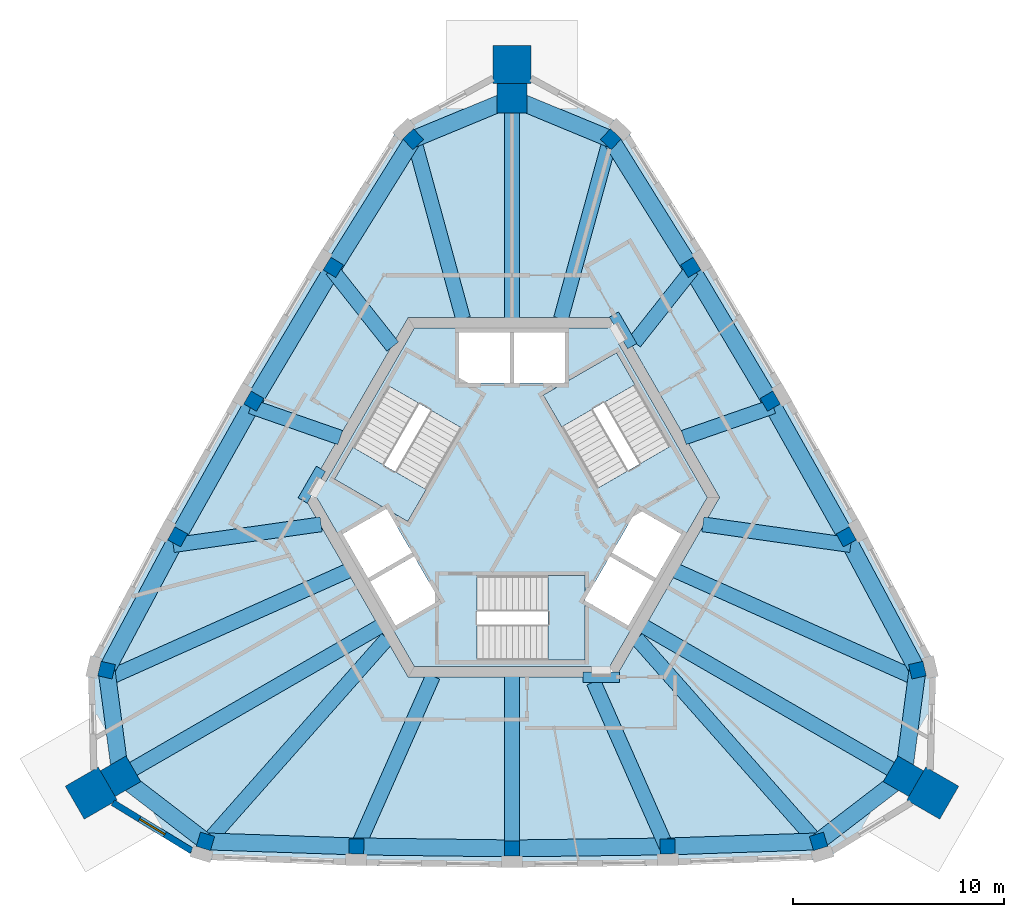
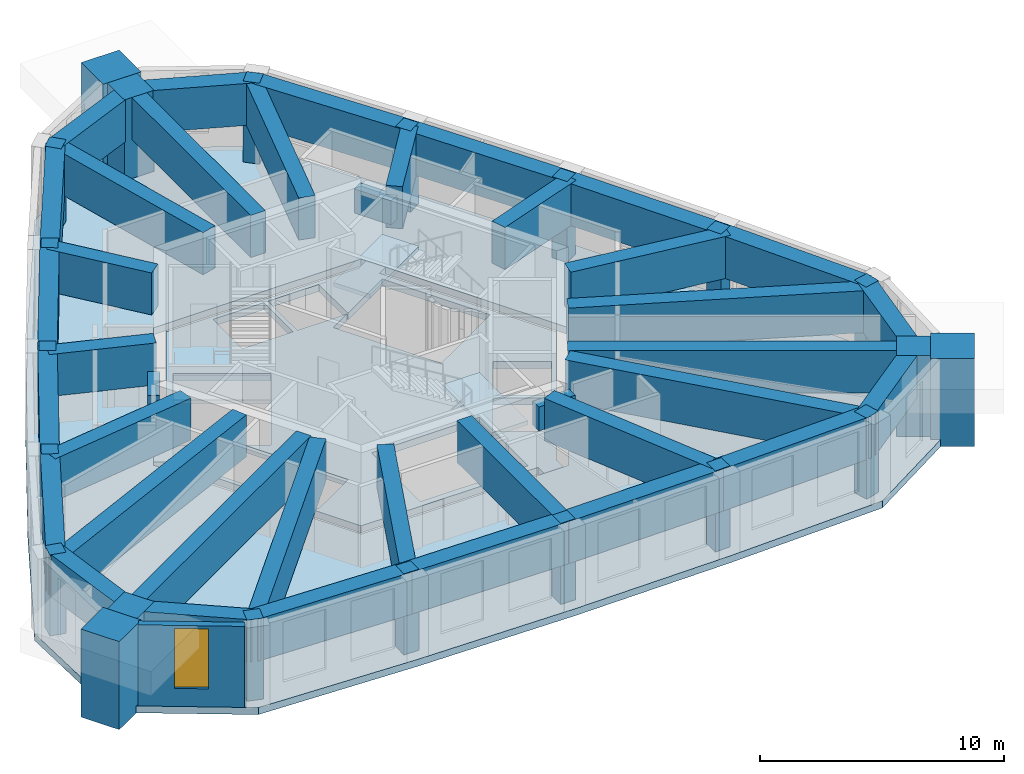
# One storey, part 1 of 8: 39 beams, 21 columns, 5 slabs, 1 wall, 1 window, 1 opening, 3 elements without a shape of their own.
"""IFC4 building model written with IfcOpenShell, lengths in metres."""

from ifc_helpers import new_model, si_unit, direction, frame, frame_2d, origin, origin_2d, place, context, subcontext, project, spatial, polyline, rectangle, outline, extrude, material, layer, layer_set, material_profile, profile_set, type_object, element, fill, aggregate, save


model = new_model("IFC4")

# Units and contexts
model_context = context("Model", 3, precision=1e-05, world=origin(), true_north=direction((0.0, 1.0)))
body_context = subcontext(model_context, "Body", "Model", "MODEL_VIEW")
ifc_project = project(units=[si_unit("LENGTHUNIT", "METRE"), si_unit("AREAUNIT", "SQUARE_METRE"), si_unit("VOLUMEUNIT", "CUBIC_METRE"), si_unit("PLANEANGLEUNIT", "RADIAN"), si_unit("MASSUNIT", "GRAM", prefix="KILO")], contexts=[model_context])

# Site, building, storey
site_placement = place(None, origin())
site = spatial("IfcSite", under=ifc_project, at=site_placement, CompositionType="ELEMENT")
building_placement = place(site_placement, origin())
building = spatial("IfcBuilding", under=site, at=building_placement, Name="Entoto Arch Interchange Tower", CompositionType="ELEMENT")
storey_placement = place(building_placement, frame((0.0, 0.0, 344.89990234375)))
storey = spatial("IfcBuildingStorey", under=building, at=storey_placement, Name="L81", CompositionType="ELEMENT", Elevation=344.89990234375)

# Columns
ifc_material_1 = material(Name="Concrete C40/50", Category="concrete")
ifc_material_profile_1 = material_profile(ifc_material_1, rectangle(XDim=0.699951171875, YDim=0.699951171875, at=origin_2d()))
ifc_profile_set_1 = profile_set([ifc_material_profile_1], Name="Concrete C40/50")
column_type_1 = type_object("IfcColumnType", Name="Column RC 700x700 C40/50", PredefinedType="COLUMN", material=ifc_profile_set_1)
for number, where, z_axis, x_axis, name in (
    (1, (-14.4970703125, -13.76806640625, -0.349853515625), (0.0, 0.0, 1.0), (-0.957344716669, 0.288948253958, 0.0), "Column S01 L81"),
    (2, (-7.35595703125, -14.008056640625, -0.349853515625), (0.0, 0.0, 1.0), (-0.999685941259, 0.02506030426, 0.0), "Column S02 L81"),
    (3, (0.0, -14.10009765625, -0.349853515625), (0.0, 0.0, 1.0), (1.0, 0.0, 0.0), "Column S03 L81"),
    (4, (7.35595703125, -14.008056640625, -0.349853515625), (0.0, 0.0, 1.0), (0.999685941259, 0.02506030426, 0.0), "Column S04 L81"),
    (5, (14.4970703125, -13.76806640625, -0.349853515625), (0.0, 0.0, 1.0), (0.957344716669, 0.288948253958, 0.0), "Column S05 L81"),
    (6, (19.173095703125, -5.6708984375, -0.349853515625), (0.0, 0.0, 1.0), (-0.228435830028, 0.973558971793, 0.0), "Column NE01 L81"),
    (7, (15.81103515625, 0.632080078125, -0.349853515625), (0.0, 0.0, 1.0), (-0.478140110514, 0.878283573066, 0.0), "Column NE02 L81"),
    (8, (12.2109375, 7.050048828125, -0.349853515625), (0.0, 0.0, 1.0), (-0.5, 0.866025403784, 0.0), "Column NE03 L81"),
    (9, (8.451904296875, 13.376953125, -0.349853515625), (0.0, 0.0, 1.0), (-0.521545830745, 0.853223268806, 0.0), "Column NE04 L81"),
    (10, (4.675048828125, 19.43896484375, -0.349853515625), (0.0, 0.0, 1.0), (-0.728908886641, 0.684610717836, 0.0), "Column NE05 L81"),
    (11, (-4.675048828125, 19.43896484375, -0.349853515625), (0.0, 0.0, 1.0), (0.728908886641, 0.684610717836, 0.0), "Column NW01 L81"),
    (12, (-8.451904296875, 13.376953125, -0.349853515625), (0.0, 0.0, 1.0), (0.521545830745, 0.853223268806, 0.0), "Column NW02 L81"),
    (13, (-12.2109375, 7.050048828125, -0.349853515625), (0.0, 0.0, 1.0), (0.5, 0.866025403784, 0.0), "Column NW03 L81"),
    (14, (-15.81103515625, 0.632080078125, -0.349853515625), (0.0, 0.0, 1.0), (0.478140110514, 0.878283573066, 0.0), "Column NW04 L81"),
    (15, (-19.173095703125, -5.6708984375, -0.349853515625), (0.0, 0.0, 1.0), (0.228435830028, 0.973558971793, 0.0), "Column NW05 L81"),
):
    element("IfcColumn", number, at=place(storey_placement, frame(where, z_axis=z_axis, x_axis=x_axis)), inside=storey, type_object=column_type_1, Name=name, PredefinedType="COLUMN", context=body_context, shape_type="SweptSolid", body=[
        extrude(rectangle(XDim=0.699951171875, YDim=0.699951171875, at=origin_2d()), origin(), (0.0, 0.0, 1.0), 4.39990234375),
    ])
ifc_material_2 = material(Name="Precast concrete C40/50", Category="concrete")
ifc_material_profile_2 = material_profile(ifc_material_2, rectangle(XDim=1.800048828125, YDim=1.800048828125, at=origin_2d()))
ifc_profile_set_2 = profile_set([ifc_material_profile_2], Name="Precast concrete C40/50")
column_type_2 = type_object("IfcColumnType", Name="Frame post RC 1800x1800 precast C40/50", PredefinedType="COLUMN", material=ifc_profile_set_2)
for number, where, z_axis, x_axis, name in (
    (16, (19.89794921875, -11.488037109375, -0.349853515625), (0.0, 0.0, 1.0), (-0.866025403784, 0.5, 0.0), "Frame post SE L81"),
    (17, (0.0, 22.97607421875, -0.349853515625), (0.0, 0.0, 1.0), (0.0, 1.0, 0.0), "Frame post N L81"),
    (18, (-19.89794921875, -11.488037109375, -0.349853515625), (0.0, 0.0, 1.0), (0.866025403784, 0.5, 0.0), "Frame post SW L81"),
):
    element("IfcColumn", number, at=place(storey_placement, frame(where, z_axis=z_axis, x_axis=x_axis)), inside=storey, type_object=column_type_2, Name=name, PredefinedType="COLUMN", context=body_context, shape_type="SweptSolid", body=[
        extrude(rectangle(XDim=1.800048828125, YDim=1.800048828125, at=origin_2d()), origin(), (0.0, 0.0, 1.0), 4.39990234375),
    ])
ifc_material_profile_3 = material_profile(ifc_material_1, rectangle(XDim=1.39990234375, YDim=1.39990234375, at=origin_2d()))
ifc_profile_set_3 = profile_set([ifc_material_profile_3], Name="Concrete C40/50")
column_type_3 = type_object("IfcColumnType", Name="Mega column RC 1400x1400 C40/50", PredefinedType="COLUMN", material=ifc_profile_set_3)
for number, where, z_axis, x_axis, name in (
    (19, (18.511962890625, -10.68798828125, -0.349853515625), (0.0, 0.0, 1.0), (-0.866025403784, 0.5, 0.0), "Corner mega column SE1 L81"),
    (20, (0.0, 21.3759765625, -0.349853515625), (0.0, 0.0, 1.0), (0.0, 1.0, 0.0), "Corner mega column N1 L81"),
    (21, (-18.511962890625, -10.68798828125, -0.349853515625), (0.0, 0.0, 1.0), (0.866025403784, 0.5, 0.0), "Corner mega column SW1 L81"),
):
    element("IfcColumn", number, at=place(storey_placement, frame(where, z_axis=z_axis, x_axis=x_axis)), inside=storey, type_object=column_type_3, Name=name, PredefinedType="COLUMN", context=body_context, shape_type="SweptSolid", body=[
        extrude(rectangle(XDim=1.39990234375, YDim=1.39990234375, at=origin_2d()), origin(), (0.0, 0.0, 1.0), 4.39990234375),
    ])

# Beams
ifc_material_profile_4 = material_profile(ifc_material_1, rectangle(XDim=0.5, YDim=1.199951171875, at=origin_2d()))
ifc_profile_set_4 = profile_set([ifc_material_profile_4], Name="Concrete C40/50")
beam_type_1 = type_object("IfcBeamType", Name="Coupling beam RC 500x1200 C40/50", PredefinedType="BEAM", material=ifc_profile_set_4)
for number, where, z_axis, x_axis, name in (
    (22, (5.68603515625, 9.65087890625, 3.0), (-0.500105721196, 0.865964357019, 0.0), (-0.865964357019, -0.500105721196, 0.0), "Coupling beam NE L81"),
    (23, (-9.035888671875, 3.84912109375, 3.0), (-0.500105721196, -0.865964357019, 0.0), (0.865964357019, -0.500105721196, 0.0), "Coupling beam NW L81"),
):
    element("IfcBeam", number, at=place(storey_placement, frame(where, z_axis=z_axis, x_axis=x_axis)), inside=storey, type_object=beam_type_1, Name=name, PredefinedType="BEAM", context=body_context, shape_type="SweptSolid", body=[
        extrude(rectangle(XDim=0.5, YDim=1.199951171875, at=origin_2d()), origin(), (0.0, 0.0, 1.0), 1.727783203125),
    ])
beam_1_placement = place(storey_placement, frame((3.35009765625, -6.0, 3.0), z_axis=(1.0, 0.0, 0.0), x_axis=(0.0, 1.0, 0.0)))
element("IfcBeam", 24, at=beam_1_placement, inside=storey, type_object=beam_type_1, Name="Coupling beam S L81", PredefinedType="BEAM", context=body_context, shape_type="SweptSolid", body=[
    extrude(rectangle(XDim=0.5, YDim=1.199951171875, at=origin_2d()), origin(), (0.0, 0.0, 1.0), 1.725830078125),
])
ifc_material_profile_5 = material_profile(ifc_material_1, rectangle(XDim=0.800048828125, YDim=2.10009765625, at=origin_2d()))
ifc_profile_set_5 = profile_set([ifc_material_profile_5], Name="Concrete C40/50")
beam_type_2 = type_object("IfcBeamType", Name="Crown ring girder RC 800x2100 C40/50", PredefinedType="BEAM", material=ifc_profile_set_5)
beam_2_placement = place(storey_placement, frame((-14.4970703125, -13.76806640625, 3.0), z_axis=(0.999435768129, -0.033587875558, 0.0), x_axis=(0.033587875558, 0.999435768129, 0.0)))
element("IfcBeam", 25, at=beam_2_placement, inside=storey, type_object=beam_type_2, Name="Crown ring girder 01 L81", PredefinedType="BEAM", context=body_context, shape_type="SweptSolid", body=[
    extrude(rectangle(XDim=0.800048828125, YDim=2.10009765625, at=origin_2d()), origin(), (0.0, 0.0, 1.0), 7.145263671875),
])
for number, where, z_axis, x_axis, name in (
    (26, (-7.35595703125, -14.008056640625, 3.0), (0.999921728537, -0.0125114667, 0.0), (0.0125114667, 0.999921728537, 0.0), "Crown ring girder 02 L81"),
    (27, (0.0, -14.10009765625, 3.0), (0.999921728537, 0.0125114667, 0.0), (-0.0125114667, 0.999921728537, 0.0), "Crown ring girder 03 L81"),
):
    element("IfcBeam", number, at=place(storey_placement, frame(where, z_axis=z_axis, x_axis=x_axis)), inside=storey, type_object=beam_type_2, Name=name, PredefinedType="BEAM", context=body_context, shape_type="SweptSolid", body=[
        extrude(rectangle(XDim=0.800048828125, YDim=2.10009765625, at=origin_2d()), origin(), (0.0, 0.0, 1.0), 7.3564453125),
    ])
beam_3_placement = place(storey_placement, frame((7.35595703125, -14.008056640625, 3.0), z_axis=(0.999435768129, 0.033587875558, 0.0), x_axis=(-0.033587875558, 0.999435768129, 0.0)))
element("IfcBeam", 28, at=beam_3_placement, inside=storey, type_object=beam_type_2, Name="Crown ring girder 04 L81", PredefinedType="BEAM", context=body_context, shape_type="SweptSolid", body=[
    extrude(rectangle(XDim=0.800048828125, YDim=2.10009765625, at=origin_2d()), origin(), (0.0, 0.0, 1.0), 7.145263671875),
])
beam_4_placement = place(storey_placement, frame((14.4970703125, -13.76806640625, 3.0), z_axis=(0.79341607068, 0.608679668452, 0.0), x_axis=(-0.608679668452, 0.79341607068, 0.0)))
element("IfcBeam", 29, at=beam_4_placement, inside=storey, type_object=beam_type_2, Name="Crown ring girder 05 L81", PredefinedType="BEAM", context=body_context, shape_type="SweptSolid", body=[
    extrude(rectangle(XDim=0.800048828125, YDim=2.10009765625, at=origin_2d()), origin(), (0.0, 0.0, 1.0), 5.060302734375),
])
beam_5_placement = place(storey_placement, frame((18.511962890625, -10.68798828125, 3.0), z_axis=(0.130646700794, 0.991428988668, 0.0), x_axis=(-0.991428988668, 0.130646700794, 0.0)))
element("IfcBeam", 30, at=beam_5_placement, inside=storey, type_object=beam_type_2, Name="Crown ring girder 06 L81", PredefinedType="BEAM", context=body_context, shape_type="SweptSolid", body=[
    extrude(rectangle(XDim=0.800048828125, YDim=2.10009765625, at=origin_2d()), origin(), (0.0, 0.0, 1.0), 5.060546875),
])
beam_6_placement = place(storey_placement, frame((19.173095703125, -5.6708984375, 3.0), z_axis=(-0.470639676095, 0.882325504157, 0.0), x_axis=(-0.882325504157, -0.470639676095, 0.0)))
element("IfcBeam", 31, at=beam_6_placement, inside=storey, type_object=beam_type_2, Name="Crown ring girder 07 L81", PredefinedType="BEAM", context=body_context, shape_type="SweptSolid", body=[
    extrude(rectangle(XDim=0.800048828125, YDim=2.10009765625, at=origin_2d()), origin(), (0.0, 0.0, 1.0), 7.1435546875),
])
beam_7_placement = place(storey_placement, frame((15.81103515625, 0.632080078125, 3.0), z_axis=(-0.489227585095, 0.872156161466, 0.0), x_axis=(-0.872156161466, -0.489227585095, 0.0)))
element("IfcBeam", 32, at=beam_7_placement, inside=storey, type_object=beam_type_2, Name="Crown ring girder 08 L81", PredefinedType="BEAM", context=body_context, shape_type="SweptSolid", body=[
    extrude(rectangle(XDim=0.800048828125, YDim=2.10009765625, at=origin_2d()), origin(), (0.0, 0.0, 1.0), 7.358642578125),
])
beam_8_placement = place(storey_placement, frame((12.2109375, 7.050048828125, 3.0), z_axis=(-0.510783240582, 0.859709533005, 0.0), x_axis=(-0.859709533005, -0.510783240582, 0.0)))
element("IfcBeam", 33, at=beam_8_placement, inside=storey, type_object=beam_type_2, Name="Crown ring girder 09 L81", PredefinedType="BEAM", context=body_context, shape_type="SweptSolid", body=[
    extrude(rectangle(XDim=0.800048828125, YDim=2.10009765625, at=origin_2d()), origin(), (0.0, 0.0, 1.0), 7.359375),
])
beam_9_placement = place(storey_placement, frame((8.451904296875, 13.376953125, 3.0), z_axis=(-0.52880011015, 0.848746395283, 0.0), x_axis=(-0.848746395283, -0.52880011015, 0.0)))
element("IfcBeam", 34, at=beam_9_placement, inside=storey, type_object=beam_type_2, Name="Crown ring girder 10 L81", PredefinedType="BEAM", context=body_context, shape_type="SweptSolid", body=[
    extrude(rectangle(XDim=0.800048828125, YDim=2.10009765625, at=origin_2d()), origin(), (0.0, 0.0, 1.0), 7.142333984375),
])
for number, where, z_axis, x_axis, name in (
    (35, (4.675048828125, 19.43896484375, 3.0), (-0.923841584445, 0.382775034257, 0.0), (-0.382775034257, -0.923841584445, 0.0), "Crown ring girder 11 L81"),
    (36, (0.0, 21.3759765625, 3.0), (-0.923841584445, -0.382775034257, 0.0), (0.382775034257, -0.923841584445, 0.0), "Crown ring girder 12 L81"),
):
    element("IfcBeam", number, at=place(storey_placement, frame(where, z_axis=z_axis, x_axis=x_axis)), inside=storey, type_object=beam_type_2, Name=name, PredefinedType="BEAM", context=body_context, shape_type="SweptSolid", body=[
        extrude(rectangle(XDim=0.800048828125, YDim=2.10009765625, at=origin_2d()), origin(), (0.0, 0.0, 1.0), 5.060546875),
    ])
beam_10_placement = place(storey_placement, frame((-4.675048828125, 19.43896484375, 3.0), z_axis=(-0.52880011015, -0.848746395283, 0.0), x_axis=(0.848746395283, -0.52880011015, 0.0)))
element("IfcBeam", 37, at=beam_10_placement, inside=storey, type_object=beam_type_2, Name="Crown ring girder 13 L81", PredefinedType="BEAM", context=body_context, shape_type="SweptSolid", body=[
    extrude(rectangle(XDim=0.800048828125, YDim=2.10009765625, at=origin_2d()), origin(), (0.0, 0.0, 1.0), 7.142333984375),
])
beam_11_placement = place(storey_placement, frame((-8.451904296875, 13.376953125, 3.0), z_axis=(-0.510783240582, -0.859709533005, 0.0), x_axis=(0.859709533005, -0.510783240582, 0.0)))
element("IfcBeam", 38, at=beam_11_placement, inside=storey, type_object=beam_type_2, Name="Crown ring girder 14 L81", PredefinedType="BEAM", context=body_context, shape_type="SweptSolid", body=[
    extrude(rectangle(XDim=0.800048828125, YDim=2.10009765625, at=origin_2d()), origin(), (0.0, 0.0, 1.0), 7.359375),
])
beam_12_placement = place(storey_placement, frame((-12.2109375, 7.050048828125, 3.0), z_axis=(-0.489227585095, -0.872156161466, 0.0), x_axis=(0.872156161466, -0.489227585095, 0.0)))
element("IfcBeam", 39, at=beam_12_placement, inside=storey, type_object=beam_type_2, Name="Crown ring girder 15 L81", PredefinedType="BEAM", context=body_context, shape_type="SweptSolid", body=[
    extrude(rectangle(XDim=0.800048828125, YDim=2.10009765625, at=origin_2d()), origin(), (0.0, 0.0, 1.0), 7.358642578125),
])
beam_13_placement = place(storey_placement, frame((-15.81103515625, 0.632080078125, 3.0), z_axis=(-0.470639676095, -0.882325504157, 0.0), x_axis=(0.882325504157, -0.470639676095, 0.0)))
element("IfcBeam", 40, at=beam_13_placement, inside=storey, type_object=beam_type_2, Name="Crown ring girder 16 L81", PredefinedType="BEAM", context=body_context, shape_type="SweptSolid", body=[
    extrude(rectangle(XDim=0.800048828125, YDim=2.10009765625, at=origin_2d()), origin(), (0.0, 0.0, 1.0), 7.1435546875),
])
beam_14_placement = place(storey_placement, frame((-19.173095703125, -5.6708984375, 3.0), z_axis=(0.130646700794, -0.991428988668, 0.0), x_axis=(0.991428988668, 0.130646700794, 0.0)))
element("IfcBeam", 41, at=beam_14_placement, inside=storey, type_object=beam_type_2, Name="Crown ring girder 17 L81", PredefinedType="BEAM", context=body_context, shape_type="SweptSolid", body=[
    extrude(rectangle(XDim=0.800048828125, YDim=2.10009765625, at=origin_2d()), origin(), (0.0, 0.0, 1.0), 5.060546875),
])
beam_15_placement = place(storey_placement, frame((-18.511962890625, -10.68798828125, 3.0), z_axis=(0.79341607068, -0.608679668452, 0.0), x_axis=(0.608679668452, 0.79341607068, 0.0)))
element("IfcBeam", 42, at=beam_15_placement, inside=storey, type_object=beam_type_2, Name="Crown ring girder 18 L81", PredefinedType="BEAM", context=body_context, shape_type="SweptSolid", body=[
    extrude(rectangle(XDim=0.800048828125, YDim=2.10009765625, at=origin_2d()), origin(), (0.0, 0.0, 1.0), 5.060302734375),
])
ifc_material_profile_6 = material_profile(ifc_material_1, rectangle(XDim=0.699951171875, YDim=2.10009765625, at=origin_2d()))
ifc_profile_set_6 = profile_set([ifc_material_profile_6], Name="Concrete C40/50")
beam_type_3 = type_object("IfcBeamType", Name="Crown transfer beam RC 700x2100 C40/50", PredefinedType="BEAM", material=ifc_profile_set_6)
beam_16_placement = place(storey_placement, frame((-5.905029296875, -4.176025390625, 3.0), z_axis=(-0.662501096248, -0.749060943763, 0.0), x_axis=(0.749060943763, -0.662501096248, 0.0)))
element("IfcBeam", 43, at=beam_16_placement, inside=storey, type_object=beam_type_3, Name="Transfer beam S01 L81", PredefinedType="BEAM", context=body_context, shape_type="SweptSolid", body=[
    extrude(rectangle(XDim=0.699951171875, YDim=2.10009765625, at=origin_2d()), origin(), (0.0, 0.0, 1.0), 12.810546875),
])
beam_17_placement = place(storey_placement, frame((-3.738037109375, -5.9541015625, 3.0), z_axis=(-0.404249610701, -0.914648704284, 0.0), x_axis=(0.914648704284, -0.404249610701, 0.0)))
element("IfcBeam", 44, at=beam_17_placement, inside=storey, type_object=beam_type_3, Name="Transfer beam S02 L81", PredefinedType="BEAM", context=body_context, shape_type="SweptSolid", body=[
    extrude(rectangle(XDim=0.699951171875, YDim=2.10009765625, at=origin_2d()), origin(), (0.0, 0.0, 1.0), 8.806640625),
])
beam_18_placement = place(storey_placement, frame((0.0, -5.949951171875, 3.0), z_axis=(0.0, -1.0, 0.0), x_axis=(1.0, 0.0, 0.0)))
element("IfcBeam", 45, at=beam_18_placement, inside=storey, type_object=beam_type_3, Name="Transfer beam S03 L81", PredefinedType="BEAM", context=body_context, shape_type="SweptSolid", body=[
    extrude(rectangle(XDim=0.699951171875, YDim=2.10009765625, at=origin_2d()), origin(), (0.0, 0.0, 1.0), 8.150146484375),
])
beam_19_placement = place(storey_placement, frame((3.85888671875, -6.22900390625, 3.0), z_axis=(0.404313504623, -0.914620462257, 0.0), x_axis=(0.914620462257, 0.404313504623, 0.0)))
element("IfcBeam", 46, at=beam_19_placement, inside=storey, type_object=beam_type_3, Name="Transfer beam S04 L81", PredefinedType="BEAM", context=body_context, shape_type="SweptSolid", body=[
    extrude(rectangle(XDim=0.699951171875, YDim=2.10009765625, at=origin_2d()), origin(), (0.0, 0.0, 1.0), 8.50634765625),
])
beam_20_placement = place(storey_placement, frame((5.905029296875, -4.176025390625, 3.0), z_axis=(0.662501096248, -0.749060943763, 0.0), x_axis=(0.749060943763, 0.662501096248, 0.0)))
element("IfcBeam", 47, at=beam_20_placement, inside=storey, type_object=beam_type_3, Name="Transfer beam S05 L81", PredefinedType="BEAM", context=body_context, shape_type="SweptSolid", body=[
    extrude(rectangle(XDim=0.699951171875, YDim=2.10009765625, at=origin_2d()), origin(), (0.0, 0.0, 1.0), 12.810546875),
])
beam_21_placement = place(storey_placement, frame((6.235107421875, -3.60009765625, 3.0), z_axis=(0.866034150445, -0.499984850033, 0.0), x_axis=(0.499984850033, 0.866034150445, 0.0)))
element("IfcBeam", 48, at=beam_21_placement, inside=storey, type_object=beam_type_3, Name="Transfer beam SE1 L81", PredefinedType="BEAM", context=body_context, shape_type="SweptSolid", body=[
    extrude(rectangle(XDim=0.699951171875, YDim=2.10009765625, at=origin_2d()), origin(), (0.0, 0.0, 1.0), 13.826171875),
])
beam_22_placement = place(storey_placement, frame((7.7529296875, -0.970947265625, 3.0), z_axis=(0.912730941664, -0.408561168162, 0.0), x_axis=(0.408561168162, 0.912730941664, 0.0)))
element("IfcBeam", 49, at=beam_22_placement, inside=storey, type_object=beam_type_3, Name="Transfer beam NE01 L81", PredefinedType="BEAM", context=body_context, shape_type="SweptSolid", body=[
    extrude(rectangle(XDim=0.699951171875, YDim=2.10009765625, at=origin_2d()), origin(), (0.0, 0.0, 1.0), 12.456298828125),
])
beam_23_placement = place(storey_placement, frame((9.027099609375, 1.22705078125, 3.0), z_axis=(0.990200999315, -0.139649493217, 0.0), x_axis=(0.139649493217, 0.990200999315, 0.0)))
element("IfcBeam", 50, at=beam_23_placement, inside=storey, type_object=beam_type_3, Name="Transfer beam NE02 L81", PredefinedType="BEAM", context=body_context, shape_type="SweptSolid", body=[
    extrude(rectangle(XDim=0.699951171875, YDim=2.10009765625, at=origin_2d()), origin(), (0.0, 0.0, 1.0), 7.06103515625),
])
beam_24_placement = place(storey_placement, frame((8.125, 5.3291015625, 3.0), z_axis=(0.94435908259, 0.3289162859, 0.0), x_axis=(-0.3289162859, 0.94435908259, 0.0)))
element("IfcBeam", 51, at=beam_24_placement, inside=storey, type_object=beam_type_3, Name="Transfer beam NE03 L81", PredefinedType="BEAM", context=body_context, shape_type="SweptSolid", body=[
    extrude(rectangle(XDim=0.699951171875, YDim=2.10009765625, at=origin_2d()), origin(), (0.0, 0.0, 1.0), 4.47509765625),
])
beam_25_placement = place(storey_placement, frame((5.7958984375, 9.8310546875, 3.0), z_axis=(0.620209286578, 0.784436384191, 0.0), x_axis=(-0.784436384191, 0.620209286578, 0.0)))
element("IfcBeam", 52, at=beam_25_placement, inside=storey, type_object=beam_type_3, Name="Transfer beam NE04 L81", PredefinedType="BEAM", context=body_context, shape_type="SweptSolid", body=[
    extrude(rectangle(XDim=0.699951171875, YDim=2.10009765625, at=origin_2d()), origin(), (0.0, 0.0, 1.0), 4.384033203125),
])
beam_26_placement = place(storey_placement, frame((2.31494140625, 10.951904296875, 3.0), z_axis=(0.264167373193, 0.964476852465, 0.0), x_axis=(-0.964476852465, 0.264167373193, 0.0)))
element("IfcBeam", 53, at=beam_26_placement, inside=storey, type_object=beam_type_3, Name="Transfer beam NE05 L81", PredefinedType="BEAM", context=body_context, shape_type="SweptSolid", body=[
    extrude(rectangle(XDim=0.699951171875, YDim=2.10009765625, at=origin_2d()), origin(), (0.0, 0.0, 1.0), 8.81298828125),
])
beam_27_placement = place(storey_placement, frame((0.0, 10.949951171875, 3.0), z_axis=(0.0, 1.0, 0.0), x_axis=(-1.0, 0.0, 0.0)))
element("IfcBeam", 54, at=beam_27_placement, inside=storey, type_object=beam_type_3, Name="Transfer beam N1 L81", PredefinedType="BEAM", context=body_context, shape_type="SweptSolid", body=[
    extrude(rectangle(XDim=0.699951171875, YDim=2.10009765625, at=origin_2d()), origin(), (0.0, 0.0, 1.0), 10.075927734375),
])
beam_28_placement = place(storey_placement, frame((-2.31494140625, 10.951904296875, 3.0), z_axis=(-0.264167373193, 0.964476852465, 0.0), x_axis=(-0.964476852465, -0.264167373193, 0.0)))
element("IfcBeam", 55, at=beam_28_placement, inside=storey, type_object=beam_type_3, Name="Transfer beam NW01 L81", PredefinedType="BEAM", context=body_context, shape_type="SweptSolid", body=[
    extrude(rectangle(XDim=0.699951171875, YDim=2.10009765625, at=origin_2d()), origin(), (0.0, 0.0, 1.0), 8.81298828125),
])
beam_29_placement = place(storey_placement, frame((-5.64111328125, 9.635009765625, 3.0), z_axis=(-0.620180545903, 0.784459106954, 0.0), x_axis=(-0.784459106954, -0.620180545903, 0.0)))
element("IfcBeam", 56, at=beam_29_placement, inside=storey, type_object=beam_type_3, Name="Transfer beam NW02 L81", PredefinedType="BEAM", context=body_context, shape_type="SweptSolid", body=[
    extrude(rectangle(XDim=0.699951171875, YDim=2.10009765625, at=origin_2d()), origin(), (0.0, 0.0, 1.0), 4.6337890625),
])
beam_30_placement = place(storey_placement, frame((-8.125, 5.3291015625, 3.0), z_axis=(-0.94435908259, 0.3289162859, 0.0), x_axis=(-0.3289162859, -0.94435908259, 0.0)))
element("IfcBeam", 57, at=beam_30_placement, inside=storey, type_object=beam_type_3, Name="Transfer beam NW03 L81", PredefinedType="BEAM", context=body_context, shape_type="SweptSolid", body=[
    extrude(rectangle(XDim=0.699951171875, YDim=2.10009765625, at=origin_2d()), origin(), (0.0, 0.0, 1.0), 4.47509765625),
])
beam_31_placement = place(storey_placement, frame((-9.027099609375, 1.22705078125, 3.0), z_axis=(-0.990200999315, -0.139649493217, 0.0), x_axis=(0.139649493217, -0.990200999315, 0.0)))
element("IfcBeam", 58, at=beam_31_placement, inside=storey, type_object=beam_type_3, Name="Transfer beam NW04 L81", PredefinedType="BEAM", context=body_context, shape_type="SweptSolid", body=[
    extrude(rectangle(XDim=0.699951171875, YDim=2.10009765625, at=origin_2d()), origin(), (0.0, 0.0, 1.0), 7.06103515625),
])
beam_32_placement = place(storey_placement, frame((-7.7529296875, -0.970947265625, 3.0), z_axis=(-0.912730941664, -0.408561168162, 0.0), x_axis=(0.408561168162, -0.912730941664, 0.0)))
element("IfcBeam", 59, at=beam_32_placement, inside=storey, type_object=beam_type_3, Name="Transfer beam NW05 L81", PredefinedType="BEAM", context=body_context, shape_type="SweptSolid", body=[
    extrude(rectangle(XDim=0.699951171875, YDim=2.10009765625, at=origin_2d()), origin(), (0.0, 0.0, 1.0), 12.456298828125),
])
beam_33_placement = place(storey_placement, frame((-6.235107421875, -3.60009765625, 3.0), z_axis=(-0.866034150445, -0.499984850033, 0.0), x_axis=(0.499984850033, -0.866034150445, 0.0)))
element("IfcBeam", 60, at=beam_33_placement, inside=storey, type_object=beam_type_3, Name="Transfer beam SW1 L81", PredefinedType="BEAM", context=body_context, shape_type="SweptSolid", body=[
    extrude(rectangle(XDim=0.699951171875, YDim=2.10009765625, at=origin_2d()), origin(), (0.0, 0.0, 1.0), 13.826171875),
])

# Slab
ifc_layer_1 = layer(ifc_material_1, 0.35009765625)
ifc_layer_set_1 = layer_set([ifc_layer_1], Name="Concrete C40/50")
slab_type_1 = type_object("IfcSlabType", Name="Core floor slab 350 C40/50", PredefinedType="FLOOR", material=ifc_layer_set_1)
slab_1_placement = place(storey_placement, frame((0.0, 0.0, -0.349853515625)))
element("IfcSlab", 61, at=slab_1_placement, inside=storey, type_object=slab_type_1, Name="Core floor slab L81", PredefinedType="FLOOR", context=body_context, shape_type="SweptSolid", body=[
    extrude(outline(polyline([(-9.208984375, 2.449951171875), (-9.222900390625, 2.425048828125), (-9.699951171875, 2.699951171875), (-9.236083984375, 3.501953125), (-8.802978515625, 3.2529296875), (-4.618896484375, 10.5), (4.56103515625, 10.5), (4.5458984375, 10.52490234375), (5.02197265625, 10.800048828125), (5.486083984375, 9.998046875), (5.052978515625, 9.748046875), (9.238037109375, 2.5), (4.64794921875, -5.449951171875), (4.676025390625, -5.449951171875), (4.676025390625, -6.0), (3.75, -6.0), (3.75, -5.5), (-4.618896484375, -5.5), (-9.208984375, 2.449951171875)]), holes=[polyline([(-1.64990234375, -5.199951171875), (3.449951171875, -5.199951171875), (3.449951171875, -2.3779296875), (5.5048828125, -3.56494140625), (6.705078125, -1.487060546875), (4.626953125, -0.287109375), (3.449951171875, -2.324951171875), (3.449951171875, -1.199951171875), (-1.64990234375, -1.199951171875), (-1.64990234375, -5.199951171875)]), polyline([(-4.626953125, -0.287109375), (-6.705078125, -1.487060546875), (-5.5048828125, -3.56494140625), (-3.427001953125, -2.364990234375), (-4.626953125, -0.287109375)]), polyline([(-5.904052734375, 1.925048828125), (-4.928955078125, 1.362060546875), (-2.37890625, 5.779052734375), (-5.843017578125, 7.779052734375), (-8.39306640625, 3.362060546875), (-5.949951171875, 1.951904296875), (-8.0048828125, 0.764892578125), (-6.804931640625, -1.31298828125), (-4.72705078125, -0.113037109375), (-5.904052734375, 1.925048828125)]), polyline([(4.72705078125, -0.113037109375), (6.804931640625, -1.31298828125), (8.0048828125, 0.764892578125), (5.927001953125, 1.965087890625), (4.72705078125, -0.113037109375)]), polyline([(2.5, 7.927001953125), (2.5, 10.300048828125), (0.10009765625, 10.300048828125), (0.10009765625, 7.89990234375), (2.452880859375, 7.89990234375), (1.47900390625, 7.337890625), (4.029052734375, 2.9208984375), (7.492919921875, 4.9208984375), (4.943115234375, 9.337890625), (2.5, 7.927001953125)]), polyline([(-2.5, 7.89990234375), (-0.10009765625, 7.89990234375), (-0.10009765625, 10.300048828125), (-2.5, 10.300048828125), (-2.5, 7.89990234375)])]), origin(), (0.0, 0.0, 1.0), 0.349853515625),
])

# Stair, slab
stair_type = type_object("IfcStairType", Name="EXIT STAIR RC 1700", PredefinedType="HALF_TURN_STAIR", material=ifc_material_1)
stair_1_placement = place(storey_placement, origin())
stair_1 = element("IfcStair", 62, at=stair_1_placement, inside=storey, type_object=stair_type, Name="L81 Exit stair S", PredefinedType="HALF_TURN_STAIR")
ifc_layer_2 = layer(ifc_material_1, 0.199951171875)
ifc_layer_set_2 = layer_set([ifc_layer_2], Name="Concrete C40/50")
slab_type_2 = type_object("IfcSlabType", Name="EXIT STAIR LANDING RC 200", PredefinedType="LANDING", material=ifc_layer_set_2)
slab_2_placement = place(storey_placement, frame((0.0, 0.0, 2.050048828125)))
slab_2 = element("IfcSlab", 63, at=slab_2_placement, type_object=slab_type_2, Name="ST-S landing 1", PredefinedType="LANDING", context=body_context, shape_type="SweptSolid", body=[
    extrude(outline(polyline([(1.7099609375, -5.199951171875), (3.449951171875, -5.199951171875), (3.449951171875, -1.199951171875), (1.7099609375, -1.199951171875), (1.7099609375, -5.199951171875)])), origin(), (0.0, 0.0, 1.0), 0.199951171875),
])
aggregate(stair_1, [slab_2])

stair_2_placement = place(storey_placement, origin())
stair_2 = element("IfcStair", 64, at=stair_2_placement, inside=storey, type_object=stair_type, Name="L81 Exit stair NE", PredefinedType="HALF_TURN_STAIR")
slab_3_placement = place(storey_placement, frame((0.0, 0.0, 2.050048828125)))
slab_3 = element("IfcSlab", 65, at=slab_3_placement, type_object=slab_type_2, Name="ST-NE landing 1", PredefinedType="LANDING", context=body_context, shape_type="SweptSolid", body=[
    extrude(outline(polyline([(5.8134765625, 7.830810546875), (4.943359375, 9.337890625), (1.479248046875, 7.337890625), (2.349365234375, 5.830810546875), (5.8134765625, 7.830810546875)])), origin(), (0.0, 0.0, 1.0), 0.199951171875),
])
aggregate(stair_2, [slab_3])

stair_3_placement = place(storey_placement, origin())
stair_3 = element("IfcStair", 66, at=stair_3_placement, inside=storey, type_object=stair_type, Name="L81 Exit stair NW", PredefinedType="HALF_TURN_STAIR")
slab_4_placement = place(storey_placement, frame((0.0, 0.0, 2.050048828125)))
slab_4 = element("IfcSlab", 67, at=slab_4_placement, type_object=slab_type_2, Name="ST-NW landing 1", PredefinedType="LANDING", context=body_context, shape_type="SweptSolid", body=[
    extrude(outline(polyline([(-7.5234375, 4.869140625), (-8.393310546875, 3.3623046875), (-4.92919921875, 1.3623046875), (-4.059326171875, 2.869140625), (-7.5234375, 4.869140625)])), origin(), (0.0, 0.0, 1.0), 0.199951171875),
])
aggregate(stair_3, [slab_4])

# Slab
ifc_layer_3 = layer(ifc_material_1, 0.35009765625)
ifc_layer_set_3 = layer_set([ifc_layer_3], Name="Concrete C40/50")
slab_type_3 = type_object("IfcSlabType", Name="Post-tensioned flat plate 350 C40/50", PredefinedType="FLOOR", material=ifc_layer_set_3)
slab_5_placement = place(storey_placement, frame((0.0, 0.0, -0.349853515625)))
element("IfcSlab", 68, at=slab_5_placement, inside=storey, type_object=slab_type_3, Name="Floor slab L81", PredefinedType="FLOOR", context=body_context, shape_type="SweptSolid", body=[
    extrude(outline(polyline([(-14.757080078125, -14.6298828125), (-7.37890625, -14.907958984375), (0.0, -15.0), (7.37890625, -14.907958984375), (14.757080078125, -14.6298828125), (19.89794921875, -11.488037109375), (20.049072265625, -5.465087890625), (16.60107421875, 1.06201171875), (12.989990234375, 7.5), (9.219970703125, 13.845947265625), (5.291015625, 20.094970703125), (0.0, 22.97607421875), (-5.291015625, 20.094970703125), (-9.219970703125, 13.845947265625), (-12.989990234375, 7.5), (-16.60107421875, 1.06201171875), (-20.049072265625, -5.465087890625), (-19.89794921875, -11.488037109375), (-14.757080078125, -14.6298828125)]), holes=[polyline([(4.906982421875, 11.0), (-4.906982421875, 11.0), (-9.81494140625, 2.5), (-4.906982421875, -6.0), (4.906982421875, -6.0), (9.81494140625, 2.5), (4.906982421875, 11.0)])]), origin(), (0.0, 0.0, 1.0), 0.349853515625),
])

# Wall, opening, window
ifc_material_3 = material(Name="Welded tuff (ignimbrite) cladding, warm buff", Category="masonry")
ifc_layer_4 = layer(ifc_material_3, 0.300048828125)
ifc_layer_set_4 = layer_set([ifc_layer_4], Name="Welded tuff (ignimbrite) cladding, warm buff")
wall_type = type_object("IfcWallType", Name="STONE INFILL WALL 300", PredefinedType="STANDARD", material=ifc_layer_set_4)
wall_placement = place(storey_placement, frame((-18.876953125, -11.93603515625, 0.0), z_axis=(0.0, 0.0, 1.0), x_axis=(0.853225151066, -0.521542751448, 0.0)))
wall = element("IfcWall", 69, at=wall_placement, inside=storey, type_object=wall_type, Name="Facade wall SW-02 L81", PredefinedType="STANDARD", context=body_context, shape_type="SweptSolid", body=[
    extrude(rectangle(XDim=4.36572265625, YDim=0.300048828125, at=frame_2d((2.182861328125, 0.0))), origin(), (0.0, 0.0, 1.0), 4.050048828125),
])
opening_placement = place(wall_placement, frame((1.48291015625, 0.0, 0.89990234375)))
opening = element("IfcOpeningElement", 70, at=opening_placement, cuts=wall, Name="Opening WK-B", PredefinedType="OPENING", context=body_context, shape_type="SweptSolid", body=[
    extrude(rectangle(XDim=1.39990234375, YDim=3.0, at=frame_2d((0.699951171875, 1.5))), frame((0.0, 0.16015625, 0.0), z_axis=(0.0, -1.0, 0.0), x_axis=(1.0, 0.0, 0.0)), (0.0, 0.0, 1.0), 0.320068359375),
])
ifc_material_4 = material(Name="Clear glass, low-e double glazed", Category="glass")
window_type = type_object("IfcWindowType", Name="WINDOW WK-B 1400x3000", PartitioningType="DOUBLE_PANEL_VERTICAL", PredefinedType="WINDOW", material=ifc_material_4)
window_placement = place(opening_placement, origin())
window = element("IfcWindow", 71, at=window_placement, inside=storey, type_object=window_type, Name="Window WK-B SW-02 L81", OverallHeight=3.0, OverallWidth=1.39990234375, PartitioningType="SINGLE_PANEL", PredefinedType="WINDOW", context=body_context, shape_type="SweptSolid", body=[
    extrude(rectangle(XDim=1.39990234375, YDim=3.0, at=frame_2d((0.699951171875, 1.5))), frame((0.0, 0.030029296875, 0.0), z_axis=(0.0, -1.0, 0.0), x_axis=(1.0, 0.0, 0.0)), (0.0, 0.0, 1.0), 0.06005859375),
])
fill(opening, window)

save(model, "model.ifc")
